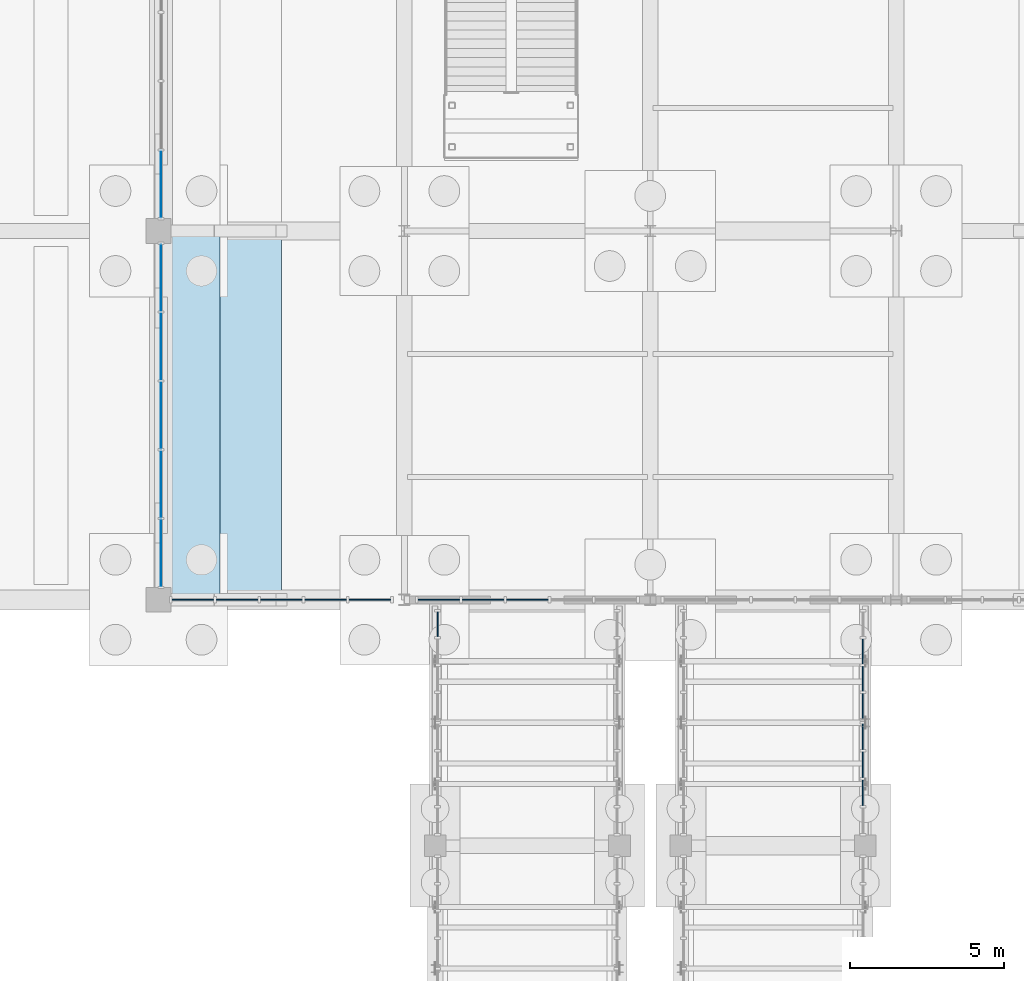
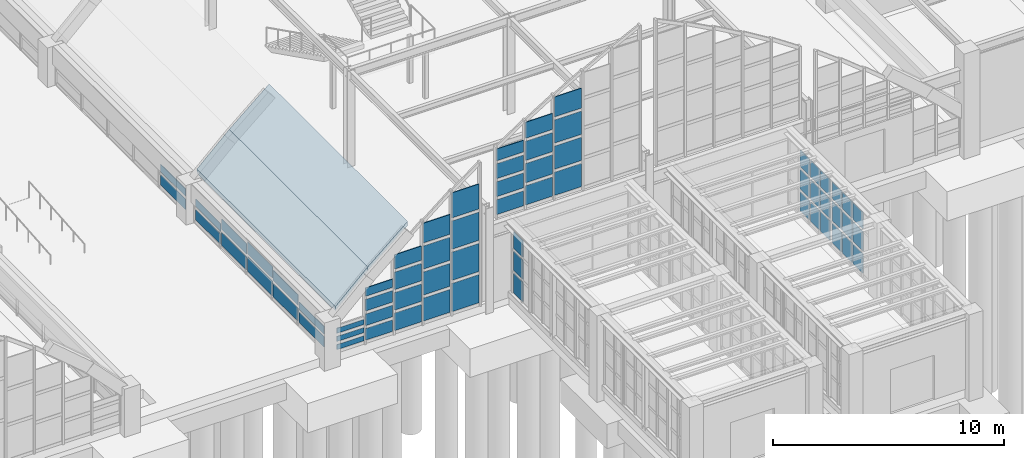
# One storey, part 82 of 129: 64 plates, 2 slabs, 7 elements without a shape of their own.
"""IFC4 building model written with IfcOpenShell, lengths in metres."""

from ifc_helpers import new_model, si_unit, direction, frame, origin, origin_2d, place, context, subcontext, project, spatial, polyline, rectangle, outline, extrude, material, layer, layer_set, type_object, element, aggregate, save


model = new_model("IFC4")

# Units and contexts
model_context = context("Model", 3, precision=1e-05, world=origin(), true_north=direction((0.0, 1.0)))
body_context = subcontext(model_context, "Body", "Model", "MODEL_VIEW")
ifc_project = project(units=[si_unit("LENGTHUNIT", "METRE"), si_unit("AREAUNIT", "SQUARE_METRE"), si_unit("VOLUMEUNIT", "CUBIC_METRE"), si_unit("PLANEANGLEUNIT", "RADIAN"), si_unit("MASSUNIT", "GRAM", prefix="KILO")], contexts=[model_context])

# Site, building, storey
site_placement = place(None, origin())
site = spatial("IfcSite", under=ifc_project, at=site_placement, CompositionType="ELEMENT")
building_placement = place(site_placement, origin())
building = spatial("IfcBuilding", under=site, at=building_placement, Name="Sitalva Quay Ferry Terminal", CompositionType="ELEMENT")
storey_placement = place(building_placement, origin())
storey = spatial("IfcBuildingStorey", under=building, at=storey_placement, Name="L01", CompositionType="ELEMENT", Elevation=0.0)

# Curtain wall, plates
ifc_material_1 = material(Name="Anodised Aluminium & Low-E Glazing", Category="aluminium")
ifc_layer_1 = layer(ifc_material_1, 0.159912109375)
ifc_layer_set_1 = layer_set([ifc_layer_1], Name="Anodised Aluminium & Low-E Glazing")
curtain_wall_type_1 = type_object("IfcCurtainWallType", Name="CW_VaultArch_Glazed", PredefinedType="USERDEFINED", material=ifc_layer_set_1)
curtain_wall_1_placement = place(storey_placement, origin())
curtain_wall_1 = element("IfcCurtainWall", 1, at=curtain_wall_1_placement, inside=storey, type_object=curtain_wall_type_1, Name="V1-W shallow-arch base glazing (CW-L01-014)", ObjectType="CURTAIN_WALL", PredefinedType="USERDEFINED")
ifc_material_2 = material(Name="Clear Low-Iron Arch Glazing", Category="glass")
ifc_layer_2 = layer(ifc_material_2, 0.02587890625)
ifc_layer_set_2 = layer_set([ifc_layer_2], Name="Clear Low-Iron Arch Glazing")
plate_type_1 = type_object("IfcPlateType", Name="Panel_Arch_IGU_26", PredefinedType="CURTAIN_PANEL", material=ifc_layer_set_2)
plate_1_placement = place(storey_placement, frame((42.080078125, 7.52001953125, 0.155029296875), z_axis=(0.0, 0.0, 1.0), x_axis=(0.0, 1.0, 0.0)))
plate_1 = element("IfcPlate", 2, at=plate_1_placement, type_object=plate_type_1, Name="CW-L01-014-P0-0", PredefinedType="CURTAIN_PANEL", context=body_context, shape_type="SweptSolid", body=[
    extrude(rectangle(XDim=2.169921875, YDim=0.02587890625, at=origin_2d()), origin(), (0.0, 0.0, 1.0), 0.544921875),
])
plate_2_placement = place(storey_placement, frame((42.080078125, 7.52001953125, 0.85498046875), z_axis=(0.0, 0.0, 1.0), x_axis=(0.0, 1.0, 0.0)))
plate_2 = element("IfcPlate", 3, at=plate_2_placement, type_object=plate_type_1, Name="CW-L01-014-P0-1", PredefinedType="CURTAIN_PANEL", context=body_context, shape_type="SweptSolid", body=[
    extrude(rectangle(XDim=2.169921875, YDim=0.02587890625, at=origin_2d()), origin(), (0.0, 0.0, 1.0), 0.389892578125),
])
plate_3_placement = place(storey_placement, frame((42.080078125, 9.760009765625, 0.1552734375), z_axis=(0.0, 0.0, 1.0), x_axis=(0.0, 1.0, 0.0)))
plate_3 = element("IfcPlate", 4, at=plate_3_placement, type_object=plate_type_1, Name="CW-L01-014-P1-0", PredefinedType="CURTAIN_PANEL", context=body_context, shape_type="SweptSolid", body=[
    extrude(rectangle(XDim=2.169921875, YDim=0.02587890625, at=origin_2d()), origin(), (0.0, 0.0, 1.0), 0.698486328125),
])
plate_4_placement = place(storey_placement, frame((42.080078125, 9.760009765625, 1.0087890625), z_axis=(0.0, 0.0, 1.0), x_axis=(0.0, 1.0, 0.0)))
plate_4 = element("IfcPlate", 5, at=plate_4_placement, type_object=plate_type_1, Name="CW-L01-014-P1-1", PredefinedType="CURTAIN_PANEL", context=body_context, shape_type="SweptSolid", body=[
    extrude(rectangle(XDim=2.169921875, YDim=0.02587890625, at=origin_2d()), origin(), (0.0, 0.0, 1.0), 0.543701171875),
])
plate_5_placement = place(storey_placement, frame((42.080078125, 12.0, 0.155029296875), z_axis=(0.0, 0.0, 1.0), x_axis=(0.0, 1.0, 0.0)))
plate_5 = element("IfcPlate", 6, at=plate_5_placement, type_object=plate_type_1, Name="CW-L01-014-P2-0", PredefinedType="CURTAIN_PANEL", context=body_context, shape_type="SweptSolid", body=[
    extrude(rectangle(XDim=2.169921875, YDim=0.02587890625, at=origin_2d()), origin(), (0.0, 0.0, 1.0), 0.775390625),
])
plate_6_placement = place(storey_placement, frame((42.080078125, 12.0, 1.08544921875), z_axis=(0.0, 0.0, 1.0), x_axis=(0.0, 1.0, 0.0)))
plate_6 = element("IfcPlate", 7, at=plate_6_placement, type_object=plate_type_1, Name="CW-L01-014-P2-1", PredefinedType="CURTAIN_PANEL", context=body_context, shape_type="SweptSolid", body=[
    extrude(rectangle(XDim=2.169921875, YDim=0.02587890625, at=origin_2d()), origin(), (0.0, 0.0, 1.0), 0.620361328125),
])
plate_7_placement = place(storey_placement, frame((42.080078125, 14.239990234375, 0.1552734375), z_axis=(0.0, 0.0, 1.0), x_axis=(0.0, 1.0, 0.0)))
plate_7 = element("IfcPlate", 8, at=plate_7_placement, type_object=plate_type_1, Name="CW-L01-014-P3-0", PredefinedType="CURTAIN_PANEL", context=body_context, shape_type="SweptSolid", body=[
    extrude(rectangle(XDim=2.169921875, YDim=0.02587890625, at=origin_2d()), origin(), (0.0, 0.0, 1.0), 0.698486328125),
])
plate_8_placement = place(storey_placement, frame((42.080078125, 14.239990234375, 1.0087890625), z_axis=(0.0, 0.0, 1.0), x_axis=(0.0, 1.0, 0.0)))
plate_8 = element("IfcPlate", 9, at=plate_8_placement, type_object=plate_type_1, Name="CW-L01-014-P3-1", PredefinedType="CURTAIN_PANEL", context=body_context, shape_type="SweptSolid", body=[
    extrude(rectangle(XDim=2.169921875, YDim=0.02587890625, at=origin_2d()), origin(), (0.0, 0.0, 1.0), 0.543701171875),
])
plate_9_placement = place(storey_placement, frame((42.080078125, 16.47998046875, 0.155029296875), z_axis=(0.0, 0.0, 1.0), x_axis=(0.0, 1.0, 0.0)))
plate_9 = element("IfcPlate", 10, at=plate_9_placement, type_object=plate_type_1, Name="CW-L01-014-P4-0", PredefinedType="CURTAIN_PANEL", context=body_context, shape_type="SweptSolid", body=[
    extrude(rectangle(XDim=2.169921875, YDim=0.02587890625, at=origin_2d()), origin(), (0.0, 0.0, 1.0), 0.544921875),
])
plate_10_placement = place(storey_placement, frame((42.080078125, 16.47998046875, 0.85498046875), z_axis=(0.0, 0.0, 1.0), x_axis=(0.0, 1.0, 0.0)))
plate_10 = element("IfcPlate", 11, at=plate_10_placement, type_object=plate_type_1, Name="CW-L01-014-P4-1", PredefinedType="CURTAIN_PANEL", context=body_context, shape_type="SweptSolid", body=[
    extrude(rectangle(XDim=2.169921875, YDim=0.02587890625, at=origin_2d()), origin(), (0.0, 0.0, 1.0), 0.389892578125),
])
aggregate(curtain_wall_1, [plate_1, plate_2, plate_3, plate_4, plate_5, plate_6, plate_7, plate_8, plate_9, plate_10])

curtain_wall_2_placement = place(storey_placement, origin())
curtain_wall_2 = element("IfcCurtainWall", 12, at=curtain_wall_2_placement, inside=storey, type_object=curtain_wall_type_1, Name="V1-W shallow-arch base glazing (CW-L01-017)", ObjectType="CURTAIN_WALL", PredefinedType="USERDEFINED")
plate_11_placement = place(storey_placement, frame((42.080078125, 19.52001953125, 0.155029296875), z_axis=(0.0, 0.0, 1.0), x_axis=(0.0, 1.0, 0.0)))
plate_11 = element("IfcPlate", 13, at=plate_11_placement, type_object=plate_type_1, Name="CW-L01-017-P0-0", PredefinedType="CURTAIN_PANEL", context=body_context, shape_type="SweptSolid", body=[
    extrude(rectangle(XDim=2.169921875, YDim=0.02587890625, at=origin_2d()), origin(), (0.0, 0.0, 1.0), 0.544921875),
])
plate_12_placement = place(storey_placement, frame((42.080078125, 19.52001953125, 0.85498046875), z_axis=(0.0, 0.0, 1.0), x_axis=(0.0, 1.0, 0.0)))
plate_12 = element("IfcPlate", 14, at=plate_12_placement, type_object=plate_type_1, Name="CW-L01-017-P0-1", PredefinedType="CURTAIN_PANEL", context=body_context, shape_type="SweptSolid", body=[
    extrude(rectangle(XDim=2.169921875, YDim=0.02587890625, at=origin_2d()), origin(), (0.0, 0.0, 1.0), 0.389892578125),
])
aggregate(curtain_wall_2, [plate_11, plate_12])

ifc_material_3 = material(Name="Anodised Aluminium & Low-E Glazing", Category="aluminium")
ifc_layer_3 = layer(ifc_material_3, 0.159912109375)
ifc_layer_set_3 = layer_set([ifc_layer_3], Name="Anodised Aluminium & Low-E Glazing")
curtain_wall_type_2 = type_object("IfcCurtainWallType", Name="CW_Gable_Unitised", PredefinedType="USERDEFINED", material=ifc_layer_set_3)
curtain_wall_3_placement = place(storey_placement, origin())
curtain_wall_3 = element("IfcCurtainWall", 15, at=curtain_wall_3_placement, inside=storey, type_object=curtain_wall_type_2, Name="V1 south gable west pointed glazing (CW-L01-005)", ObjectType="CURTAIN_WALL", PredefinedType="USERDEFINED")
ifc_material_4 = material(Name="Acoustic Laminated Marine Glazing", Category="glass")
ifc_layer_4 = layer(ifc_material_4, 0.033935546875)
ifc_layer_set_4 = layer_set([ifc_layer_4], Name="Acoustic Laminated Marine Glazing")
plate_type_2 = type_object("IfcPlateType", Name="Panel_Marine_IGU_34", PredefinedType="CURTAIN_PANEL", material=ifc_layer_set_4)
plate_13_placement = place(storey_placement, frame((43.1201171875, 6.0, 0.1650390625), z_axis=(0.0, 0.0, 1.0), x_axis=(1.0, 0.0, 0.0)))
plate_13 = element("IfcPlate", 16, at=plate_13_placement, type_object=plate_type_2, Name="CW-L01-005-P0-0", PredefinedType="CURTAIN_PANEL", context=body_context, shape_type="SweptSolid", body=[
    extrude(rectangle(XDim=1.35009765625, YDim=0.033935546875, at=origin_2d()), origin(), (0.0, 0.0, 1.0), 0.267333984375),
])
plate_14_placement = place(storey_placement, frame((43.1201171875, 6.0, 0.59716796875), z_axis=(0.0, 0.0, 1.0), x_axis=(1.0, 0.0, 0.0)))
plate_14 = element("IfcPlate", 17, at=plate_14_placement, type_object=plate_type_2, Name="CW-L01-005-P0-1", PredefinedType="CURTAIN_PANEL", context=body_context, shape_type="SweptSolid", body=[
    extrude(rectangle(XDim=1.35009765625, YDim=0.033935546875, at=origin_2d()), origin(), (0.0, 0.0, 1.0), 0.267333984375),
])
plate_15_placement = place(storey_placement, frame((43.1201171875, 6.0, 1.02978515625), z_axis=(0.0, 0.0, 1.0), x_axis=(1.0, 0.0, 0.0)))
plate_15 = element("IfcPlate", 18, at=plate_15_placement, type_object=plate_type_2, Name="CW-L01-005-P0-2", PredefinedType="CURTAIN_PANEL", context=body_context, shape_type="SweptSolid", body=[
    extrude(rectangle(XDim=1.35009765625, YDim=0.033935546875, at=origin_2d()), origin(), (0.0, 0.0, 1.0), 0.267333984375),
])
plate_16_placement = place(storey_placement, frame((44.56005859375, 6.0, 0.1650390625), z_axis=(0.0, 0.0, 1.0), x_axis=(1.0, 0.0, 0.0)))
plate_16 = element("IfcPlate", 19, at=plate_16_placement, type_object=plate_type_2, Name="CW-L01-005-P1-0", PredefinedType="CURTAIN_PANEL", context=body_context, shape_type="SweptSolid", body=[
    extrude(rectangle(XDim=1.35009765625, YDim=0.033935546875, at=origin_2d()), origin(), (0.0, 0.0, 1.0), 0.608642578125),
])
plate_17_placement = place(storey_placement, frame((44.56005859375, 6.0, 0.9384765625), z_axis=(0.0, 0.0, 1.0), x_axis=(1.0, 0.0, 0.0)))
plate_17 = element("IfcPlate", 20, at=plate_17_placement, type_object=plate_type_2, Name="CW-L01-005-P1-1", PredefinedType="CURTAIN_PANEL", context=body_context, shape_type="SweptSolid", body=[
    extrude(rectangle(XDim=1.35009765625, YDim=0.033935546875, at=origin_2d()), origin(), (0.0, 0.0, 1.0), 0.608642578125),
])
plate_18_placement = place(storey_placement, frame((44.56005859375, 6.0, 1.71240234375), z_axis=(0.0, 0.0, 1.0), x_axis=(1.0, 0.0, 0.0)))
plate_18 = element("IfcPlate", 21, at=plate_18_placement, type_object=plate_type_2, Name="CW-L01-005-P1-2", PredefinedType="CURTAIN_PANEL", context=body_context, shape_type="SweptSolid", body=[
    extrude(rectangle(XDim=1.35009765625, YDim=0.033935546875, at=origin_2d()), origin(), (0.0, 0.0, 1.0), 0.608642578125),
])
plate_19_placement = place(storey_placement, frame((44.56005859375, 6.0, 2.48583984375), z_axis=(0.0, 0.0, 1.0), x_axis=(1.0, 0.0, 0.0)))
plate_19 = element("IfcPlate", 22, at=plate_19_placement, type_object=plate_type_2, Name="CW-L01-005-P1-3", PredefinedType="CURTAIN_PANEL", context=body_context, shape_type="SweptSolid", body=[
    extrude(rectangle(XDim=1.35009765625, YDim=0.033935546875, at=origin_2d()), origin(), (0.0, 0.0, 1.0), 0.443603515625),
])
plate_20_placement = place(storey_placement, frame((46.0, 6.0, 0.1650390625), z_axis=(0.0, 0.0, 1.0), x_axis=(1.0, 0.0, 0.0)))
plate_20 = element("IfcPlate", 23, at=plate_20_placement, type_object=plate_type_2, Name="CW-L01-005-P2-0", PredefinedType="CURTAIN_PANEL", context=body_context, shape_type="SweptSolid", body=[
    extrude(rectangle(XDim=1.35009765625, YDim=0.033935546875, at=origin_2d()), origin(), (0.0, 0.0, 1.0), 0.919921875),
])
plate_21_placement = place(storey_placement, frame((46.0, 6.0, 1.25), z_axis=(0.0, 0.0, 1.0), x_axis=(1.0, 0.0, 0.0)))
plate_21 = element("IfcPlate", 24, at=plate_21_placement, type_object=plate_type_2, Name="CW-L01-005-P2-1", PredefinedType="CURTAIN_PANEL", context=body_context, shape_type="SweptSolid", body=[
    extrude(rectangle(XDim=1.35009765625, YDim=0.033935546875, at=origin_2d()), origin(), (0.0, 0.0, 1.0), 0.919921875),
])
plate_22_placement = place(storey_placement, frame((46.0, 6.0, 2.3349609375), z_axis=(0.0, 0.0, 1.0), x_axis=(1.0, 0.0, 0.0)))
plate_22 = element("IfcPlate", 25, at=plate_22_placement, type_object=plate_type_2, Name="CW-L01-005-P2-2", PredefinedType="CURTAIN_PANEL", context=body_context, shape_type="SweptSolid", body=[
    extrude(rectangle(XDim=1.35009765625, YDim=0.033935546875, at=origin_2d()), origin(), (0.0, 0.0, 1.0), 0.919921875),
])
plate_23_placement = place(storey_placement, frame((46.0, 6.0, 3.419921875), z_axis=(0.0, 0.0, 1.0), x_axis=(1.0, 0.0, 0.0)))
plate_23 = element("IfcPlate", 26, at=plate_23_placement, type_object=plate_type_2, Name="CW-L01-005-P2-3", PredefinedType="CURTAIN_PANEL", context=body_context, shape_type="SweptSolid", body=[
    extrude(rectangle(XDim=1.35009765625, YDim=0.033935546875, at=origin_2d()), origin(), (0.0, 0.0, 1.0), 0.7548828125),
])
plate_24_placement = place(storey_placement, frame((47.43994140625, 6.0, 0.1650390625), z_axis=(0.0, 0.0, 1.0), x_axis=(1.0, 0.0, 0.0)))
plate_24 = element("IfcPlate", 27, at=plate_24_placement, type_object=plate_type_2, Name="CW-L01-005-P3-0", PredefinedType="CURTAIN_PANEL", context=body_context, shape_type="SweptSolid", body=[
    extrude(rectangle(XDim=1.35009765625, YDim=0.033935546875, at=origin_2d()), origin(), (0.0, 0.0, 1.0), 1.212646484375),
])
plate_25_placement = place(storey_placement, frame((47.43994140625, 6.0, 1.54248046875), z_axis=(0.0, 0.0, 1.0), x_axis=(1.0, 0.0, 0.0)))
plate_25 = element("IfcPlate", 28, at=plate_25_placement, type_object=plate_type_2, Name="CW-L01-005-P3-1", PredefinedType="CURTAIN_PANEL", context=body_context, shape_type="SweptSolid", body=[
    extrude(rectangle(XDim=1.35009765625, YDim=0.033935546875, at=origin_2d()), origin(), (0.0, 0.0, 1.0), 1.212646484375),
])
plate_26_placement = place(storey_placement, frame((47.43994140625, 6.0, 2.92041015625), z_axis=(0.0, 0.0, 1.0), x_axis=(1.0, 0.0, 0.0)))
plate_26 = element("IfcPlate", 29, at=plate_26_placement, type_object=plate_type_2, Name="CW-L01-005-P3-2", PredefinedType="CURTAIN_PANEL", context=body_context, shape_type="SweptSolid", body=[
    extrude(rectangle(XDim=1.35009765625, YDim=0.033935546875, at=origin_2d()), origin(), (0.0, 0.0, 1.0), 1.212646484375),
])
plate_27_placement = place(storey_placement, frame((47.43994140625, 6.0, 4.2978515625), z_axis=(0.0, 0.0, 1.0), x_axis=(1.0, 0.0, 0.0)))
plate_27 = element("IfcPlate", 30, at=plate_27_placement, type_object=plate_type_2, Name="CW-L01-005-P3-3", PredefinedType="CURTAIN_PANEL", context=body_context, shape_type="SweptSolid", body=[
    extrude(rectangle(XDim=1.35009765625, YDim=0.033935546875, at=origin_2d()), origin(), (0.0, 0.0, 1.0), 1.047607421875),
])
plate_28_placement = place(storey_placement, frame((48.8798828125, 6.0, 0.1650390625), z_axis=(0.0, 0.0, 1.0), x_axis=(1.0, 0.0, 0.0)))
plate_28 = element("IfcPlate", 31, at=plate_28_placement, type_object=plate_type_2, Name="CW-L01-005-P4-0", PredefinedType="CURTAIN_PANEL", context=body_context, shape_type="SweptSolid", body=[
    extrude(rectangle(XDim=1.35009765625, YDim=0.033935546875, at=origin_2d()), origin(), (0.0, 0.0, 1.0), 1.487548828125),
])
plate_29_placement = place(storey_placement, frame((48.8798828125, 6.0, 1.8173828125), z_axis=(0.0, 0.0, 1.0), x_axis=(1.0, 0.0, 0.0)))
plate_29 = element("IfcPlate", 32, at=plate_29_placement, type_object=plate_type_2, Name="CW-L01-005-P4-1", PredefinedType="CURTAIN_PANEL", context=body_context, shape_type="SweptSolid", body=[
    extrude(rectangle(XDim=1.35009765625, YDim=0.033935546875, at=origin_2d()), origin(), (0.0, 0.0, 1.0), 1.487548828125),
])
plate_30_placement = place(storey_placement, frame((48.8798828125, 6.0, 3.47021484375), z_axis=(0.0, 0.0, 1.0), x_axis=(1.0, 0.0, 0.0)))
plate_30 = element("IfcPlate", 33, at=plate_30_placement, type_object=plate_type_2, Name="CW-L01-005-P4-2", PredefinedType="CURTAIN_PANEL", context=body_context, shape_type="SweptSolid", body=[
    extrude(rectangle(XDim=1.35009765625, YDim=0.033935546875, at=origin_2d()), origin(), (0.0, 0.0, 1.0), 1.487548828125),
])
plate_31_placement = place(storey_placement, frame((48.8798828125, 6.0, 5.123046875), z_axis=(0.0, 0.0, 1.0), x_axis=(1.0, 0.0, 0.0)))
plate_31 = element("IfcPlate", 34, at=plate_31_placement, type_object=plate_type_2, Name="CW-L01-005-P4-3", PredefinedType="CURTAIN_PANEL", context=body_context, shape_type="SweptSolid", body=[
    extrude(rectangle(XDim=1.35009765625, YDim=0.033935546875, at=origin_2d()), origin(), (0.0, 0.0, 1.0), 1.322509765625),
])
aggregate(curtain_wall_3, [plate_13, plate_14, plate_15, plate_16, plate_17, plate_18, plate_19, plate_20, plate_21, plate_22, plate_23, plate_24, plate_25, plate_26, plate_27, plate_28, plate_29, plate_30, plate_31])

curtain_wall_4_placement = place(storey_placement, origin())
curtain_wall_4 = element("IfcCurtainWall", 35, at=curtain_wall_4_placement, inside=storey, type_object=curtain_wall_type_2, Name="V1 south gable west-apex pointed glazing (CW-L01-006)", ObjectType="CURTAIN_WALL", PredefinedType="USERDEFINED")
plate_32_placement = place(storey_placement, frame((51.1201171875, 6.0, 4.51513671875), z_axis=(0.0, 0.0, 1.0), x_axis=(1.0, 0.0, 0.0)))
plate_32 = element("IfcPlate", 36, at=plate_32_placement, type_object=plate_type_2, Name="CW-L01-006-P0-0", PredefinedType="CURTAIN_PANEL", context=body_context, shape_type="SweptSolid", body=[
    extrude(rectangle(XDim=1.35009765625, YDim=0.033935546875, at=origin_2d()), origin(), (0.0, 0.0, 1.0), 0.784423828125),
])
plate_33_placement = place(storey_placement, frame((51.1201171875, 6.0, 5.46435546875), z_axis=(0.0, 0.0, 1.0), x_axis=(1.0, 0.0, 0.0)))
plate_33 = element("IfcPlate", 37, at=plate_33_placement, type_object=plate_type_2, Name="CW-L01-006-P0-1", PredefinedType="CURTAIN_PANEL", context=body_context, shape_type="SweptSolid", body=[
    extrude(rectangle(XDim=1.35009765625, YDim=0.033935546875, at=origin_2d()), origin(), (0.0, 0.0, 1.0), 0.784423828125),
])
plate_34_placement = place(storey_placement, frame((51.1201171875, 6.0, 6.4140625), z_axis=(0.0, 0.0, 1.0), x_axis=(1.0, 0.0, 0.0)))
plate_34 = element("IfcPlate", 38, at=plate_34_placement, type_object=plate_type_2, Name="CW-L01-006-P0-2", PredefinedType="CURTAIN_PANEL", context=body_context, shape_type="SweptSolid", body=[
    extrude(rectangle(XDim=1.35009765625, YDim=0.033935546875, at=origin_2d()), origin(), (0.0, 0.0, 1.0), 0.784423828125),
])
plate_35_placement = place(storey_placement, frame((51.1201171875, 6.0, 7.363525390625), z_axis=(0.0, 0.0, 1.0), x_axis=(1.0, 0.0, 0.0)))
plate_35 = element("IfcPlate", 39, at=plate_35_placement, type_object=plate_type_2, Name="CW-L01-006-P0-3", PredefinedType="CURTAIN_PANEL", context=body_context, shape_type="SweptSolid", body=[
    extrude(rectangle(XDim=1.35009765625, YDim=0.033935546875, at=origin_2d()), origin(), (0.0, 0.0, 1.0), 0.61962890625),
])
plate_36_placement = place(storey_placement, frame((52.56005859375, 6.0, 4.51513671875), z_axis=(0.0, 0.0, 1.0), x_axis=(1.0, 0.0, 0.0)))
plate_36 = element("IfcPlate", 40, at=plate_36_placement, type_object=plate_type_2, Name="CW-L01-006-P1-0", PredefinedType="CURTAIN_PANEL", context=body_context, shape_type="SweptSolid", body=[
    extrude(rectangle(XDim=1.35009765625, YDim=0.033935546875, at=origin_2d()), origin(), (0.0, 0.0, 1.0), 1.011962890625),
])
plate_37_placement = place(storey_placement, frame((52.56005859375, 6.0, 5.69189453125), z_axis=(0.0, 0.0, 1.0), x_axis=(1.0, 0.0, 0.0)))
plate_37 = element("IfcPlate", 41, at=plate_37_placement, type_object=plate_type_2, Name="CW-L01-006-P1-1", PredefinedType="CURTAIN_PANEL", context=body_context, shape_type="SweptSolid", body=[
    extrude(rectangle(XDim=1.35009765625, YDim=0.033935546875, at=origin_2d()), origin(), (0.0, 0.0, 1.0), 1.011962890625),
])
plate_38_placement = place(storey_placement, frame((52.56005859375, 6.0, 6.86865234375), z_axis=(0.0, 0.0, 1.0), x_axis=(1.0, 0.0, 0.0)))
plate_38 = element("IfcPlate", 42, at=plate_38_placement, type_object=plate_type_2, Name="CW-L01-006-P1-2", PredefinedType="CURTAIN_PANEL", context=body_context, shape_type="SweptSolid", body=[
    extrude(rectangle(XDim=1.35009765625, YDim=0.033935546875, at=origin_2d()), origin(), (0.0, 0.0, 1.0), 1.011962890625),
])
plate_39_placement = place(storey_placement, frame((52.56005859375, 6.0, 8.0458984375), z_axis=(0.0, 0.0, 1.0), x_axis=(1.0, 0.0, 0.0)))
plate_39 = element("IfcPlate", 43, at=plate_39_placement, type_object=plate_type_2, Name="CW-L01-006-P1-3", PredefinedType="CURTAIN_PANEL", context=body_context, shape_type="SweptSolid", body=[
    extrude(rectangle(XDim=1.35009765625, YDim=0.033935546875, at=origin_2d()), origin(), (0.0, 0.0, 1.0), 0.846923828125),
])
plate_40_placement = place(storey_placement, frame((54.0, 6.0, 4.51513671875), z_axis=(0.0, 0.0, 1.0), x_axis=(1.0, 0.0, 0.0)))
plate_40 = element("IfcPlate", 44, at=plate_40_placement, type_object=plate_type_2, Name="CW-L01-006-P2-0", PredefinedType="CURTAIN_PANEL", context=body_context, shape_type="SweptSolid", body=[
    extrude(rectangle(XDim=1.35009765625, YDim=0.033935546875, at=origin_2d()), origin(), (0.0, 0.0, 1.0), 1.2197265625),
])
plate_41_placement = place(storey_placement, frame((54.0, 6.0, 5.89990234375), z_axis=(0.0, 0.0, 1.0), x_axis=(1.0, 0.0, 0.0)))
plate_41 = element("IfcPlate", 45, at=plate_41_placement, type_object=plate_type_2, Name="CW-L01-006-P2-1", PredefinedType="CURTAIN_PANEL", context=body_context, shape_type="SweptSolid", body=[
    extrude(rectangle(XDim=1.35009765625, YDim=0.033935546875, at=origin_2d()), origin(), (0.0, 0.0, 1.0), 1.2197265625),
])
plate_42_placement = place(storey_placement, frame((54.0, 6.0, 7.28466796875), z_axis=(0.0, 0.0, 1.0), x_axis=(1.0, 0.0, 0.0)))
plate_42 = element("IfcPlate", 46, at=plate_42_placement, type_object=plate_type_2, Name="CW-L01-006-P2-2", PredefinedType="CURTAIN_PANEL", context=body_context, shape_type="SweptSolid", body=[
    extrude(rectangle(XDim=1.35009765625, YDim=0.033935546875, at=origin_2d()), origin(), (0.0, 0.0, 1.0), 1.2197265625),
])
plate_43_placement = place(storey_placement, frame((54.0, 6.0, 8.66943359375), z_axis=(0.0, 0.0, 1.0), x_axis=(1.0, 0.0, 0.0)))
plate_43 = element("IfcPlate", 47, at=plate_43_placement, type_object=plate_type_2, Name="CW-L01-006-P2-3", PredefinedType="CURTAIN_PANEL", context=body_context, shape_type="SweptSolid", body=[
    extrude(rectangle(XDim=1.35009765625, YDim=0.033935546875, at=origin_2d()), origin(), (0.0, 0.0, 1.0), 1.0546875),
])
aggregate(curtain_wall_4, [plate_32, plate_33, plate_34, plate_35, plate_36, plate_37, plate_38, plate_39, plate_40, plate_41, plate_42, plate_43])

ifc_material_5 = material(Name="Anodised Aluminium & Low-E Glazing", Category="aluminium")
ifc_layer_5 = layer(ifc_material_5, 0.159912109375)
ifc_layer_set_5 = layer_set([ifc_layer_5], Name="Anodised Aluminium & Low-E Glazing")
curtain_wall_type_3 = type_object("IfcCurtainWallType", Name="CW_Bridge_Glazed", PredefinedType="USERDEFINED", material=ifc_layer_set_5)
curtain_wall_5_placement = place(storey_placement, origin())
curtain_wall_5 = element("IfcCurtainWall", 48, at=curtain_wall_5_placement, inside=storey, type_object=curtain_wall_type_3, Name="Boarding bridge BB2 W4 side glazing (CW-L01-044)", ObjectType="CURTAIN_WALL", PredefinedType="USERDEFINED")
plate_44_placement = place(storey_placement, frame((51.080078125, 5.206298828125, 0.39990234375), z_axis=(0.0, 0.0, 1.0), x_axis=(0.0, 1.0, 0.0)))
plate_44 = element("IfcPlate", 49, at=plate_44_placement, type_object=plate_type_2, Name="CW-L01-044-P3-0", PredefinedType="CURTAIN_PANEL", context=body_context, shape_type="SweptSolid", body=[
    extrude(rectangle(XDim=0.8076171875, YDim=0.033935546875, at=origin_2d()), origin(), (0.0, 0.0, 1.0), 1.026611328125),
])
plate_45_placement = place(storey_placement, frame((51.080078125, 5.206298828125, 1.57666015625), z_axis=(0.0, 0.0, 1.0), x_axis=(0.0, 1.0, 0.0)))
plate_45 = element("IfcPlate", 50, at=plate_45_placement, type_object=plate_type_2, Name="CW-L01-044-P3-1", PredefinedType="CURTAIN_PANEL", context=body_context, shape_type="SweptSolid", body=[
    extrude(rectangle(XDim=0.8076171875, YDim=0.033935546875, at=origin_2d()), origin(), (0.0, 0.0, 1.0), 1.026611328125),
])
plate_46_placement = place(storey_placement, frame((51.080078125, 5.206298828125, 2.75341796875), z_axis=(0.0, 0.0, 1.0), x_axis=(0.0, 1.0, 0.0)))
plate_46 = element("IfcPlate", 51, at=plate_46_placement, type_object=plate_type_2, Name="CW-L01-044-P3-2", PredefinedType="CURTAIN_PANEL", context=body_context, shape_type="SweptSolid", body=[
    extrude(rectangle(XDim=0.8076171875, YDim=0.033935546875, at=origin_2d()), origin(), (0.0, 0.0, 1.0), 0.876708984375),
])
aggregate(curtain_wall_5, [plate_44, plate_45, plate_46])

curtain_wall_6_placement = place(storey_placement, origin())
curtain_wall_6 = element("IfcCurtainWall", 52, at=curtain_wall_6_placement, inside=storey, type_object=curtain_wall_type_3, Name="Boarding bridge BB3 E3 side glazing (CW-L01-055)", ObjectType="CURTAIN_WALL", PredefinedType="USERDEFINED")
plate_47_placement = place(storey_placement, frame((64.919921875, -0.28125, 0.39990234375), z_axis=(0.0, 0.0, 1.0), x_axis=(0.0, 1.0, 0.0)))
plate_47 = element("IfcPlate", 53, at=plate_47_placement, type_object=plate_type_2, Name="CW-L01-055-P1-0", PredefinedType="CURTAIN_PANEL", context=body_context, shape_type="SweptSolid", body=[
    extrude(rectangle(XDim=0.83251953125, YDim=0.033935546875, at=origin_2d()), origin(), (0.0, 0.0, 1.0), 1.026611328125),
])
plate_48_placement = place(storey_placement, frame((64.919921875, -0.28125, 1.57666015625), z_axis=(0.0, 0.0, 1.0), x_axis=(0.0, 1.0, 0.0)))
plate_48 = element("IfcPlate", 54, at=plate_48_placement, type_object=plate_type_2, Name="CW-L01-055-P1-1", PredefinedType="CURTAIN_PANEL", context=body_context, shape_type="SweptSolid", body=[
    extrude(rectangle(XDim=0.83251953125, YDim=0.033935546875, at=origin_2d()), origin(), (0.0, 0.0, 1.0), 1.026611328125),
])
plate_49_placement = place(storey_placement, frame((64.919921875, -0.28125, 2.75341796875), z_axis=(0.0, 0.0, 1.0), x_axis=(0.0, 1.0, 0.0)))
plate_49 = element("IfcPlate", 55, at=plate_49_placement, type_object=plate_type_2, Name="CW-L01-055-P1-2", PredefinedType="CURTAIN_PANEL", context=body_context, shape_type="SweptSolid", body=[
    extrude(rectangle(XDim=0.83251953125, YDim=0.033935546875, at=origin_2d()), origin(), (0.0, 0.0, 1.0), 0.876708984375),
])
plate_50_placement = place(storey_placement, frame((64.919921875, 0.63134765625, 0.39990234375), z_axis=(0.0, 0.0, 1.0), x_axis=(0.0, 1.0, 0.0)))
plate_50 = element("IfcPlate", 56, at=plate_50_placement, type_object=plate_type_2, Name="CW-L01-055-P2-0", PredefinedType="CURTAIN_PANEL", context=body_context, shape_type="SweptSolid", body=[
    extrude(rectangle(XDim=0.83251953125, YDim=0.033935546875, at=origin_2d()), origin(), (0.0, 0.0, 1.0), 1.026611328125),
])
plate_51_placement = place(storey_placement, frame((64.919921875, 0.63134765625, 1.57666015625), z_axis=(0.0, 0.0, 1.0), x_axis=(0.0, 1.0, 0.0)))
plate_51 = element("IfcPlate", 57, at=plate_51_placement, type_object=plate_type_2, Name="CW-L01-055-P2-1", PredefinedType="CURTAIN_PANEL", context=body_context, shape_type="SweptSolid", body=[
    extrude(rectangle(XDim=0.83251953125, YDim=0.033935546875, at=origin_2d()), origin(), (0.0, 0.0, 1.0), 1.026611328125),
])
plate_52_placement = place(storey_placement, frame((64.919921875, 0.63134765625, 2.75341796875), z_axis=(0.0, 0.0, 1.0), x_axis=(0.0, 1.0, 0.0)))
plate_52 = element("IfcPlate", 58, at=plate_52_placement, type_object=plate_type_2, Name="CW-L01-055-P2-2", PredefinedType="CURTAIN_PANEL", context=body_context, shape_type="SweptSolid", body=[
    extrude(rectangle(XDim=0.83251953125, YDim=0.033935546875, at=origin_2d()), origin(), (0.0, 0.0, 1.0), 0.876708984375),
])
plate_53_placement = place(storey_placement, frame((64.919921875, 1.543701171875, 0.39990234375), z_axis=(0.0, 0.0, 1.0), x_axis=(0.0, 1.0, 0.0)))
plate_53 = element("IfcPlate", 59, at=plate_53_placement, type_object=plate_type_2, Name="CW-L01-055-P3-0", PredefinedType="CURTAIN_PANEL", context=body_context, shape_type="SweptSolid", body=[
    extrude(rectangle(XDim=0.83251953125, YDim=0.033935546875, at=origin_2d()), origin(), (0.0, 0.0, 1.0), 1.026611328125),
])
plate_54_placement = place(storey_placement, frame((64.919921875, 1.543701171875, 1.57666015625), z_axis=(0.0, 0.0, 1.0), x_axis=(0.0, 1.0, 0.0)))
plate_54 = element("IfcPlate", 60, at=plate_54_placement, type_object=plate_type_2, Name="CW-L01-055-P3-1", PredefinedType="CURTAIN_PANEL", context=body_context, shape_type="SweptSolid", body=[
    extrude(rectangle(XDim=0.83251953125, YDim=0.033935546875, at=origin_2d()), origin(), (0.0, 0.0, 1.0), 1.026611328125),
])
plate_55_placement = place(storey_placement, frame((64.919921875, 1.543701171875, 2.75341796875), z_axis=(0.0, 0.0, 1.0), x_axis=(0.0, 1.0, 0.0)))
plate_55 = element("IfcPlate", 61, at=plate_55_placement, type_object=plate_type_2, Name="CW-L01-055-P3-2", PredefinedType="CURTAIN_PANEL", context=body_context, shape_type="SweptSolid", body=[
    extrude(rectangle(XDim=0.83251953125, YDim=0.033935546875, at=origin_2d()), origin(), (0.0, 0.0, 1.0), 0.876708984375),
])
aggregate(curtain_wall_6, [plate_47, plate_48, plate_49, plate_50, plate_51, plate_52, plate_53, plate_54, plate_55])

curtain_wall_7_placement = place(storey_placement, origin())
curtain_wall_7 = element("IfcCurtainWall", 62, at=curtain_wall_7_placement, inside=storey, type_object=curtain_wall_type_3, Name="Boarding bridge BB3 E4 side glazing (CW-L01-056)", ObjectType="CURTAIN_WALL", PredefinedType="USERDEFINED")
plate_56_placement = place(storey_placement, frame((64.919921875, 2.543701171875, 0.39990234375), z_axis=(0.0, 0.0, 1.0), x_axis=(0.0, 1.0, 0.0)))
plate_56 = element("IfcPlate", 63, at=plate_56_placement, type_object=plate_type_2, Name="CW-L01-056-P0-0", PredefinedType="CURTAIN_PANEL", context=body_context, shape_type="SweptSolid", body=[
    extrude(rectangle(XDim=0.8076171875, YDim=0.033935546875, at=origin_2d()), origin(), (0.0, 0.0, 1.0), 1.026611328125),
])
plate_57_placement = place(storey_placement, frame((64.919921875, 2.543701171875, 1.57666015625), z_axis=(0.0, 0.0, 1.0), x_axis=(0.0, 1.0, 0.0)))
plate_57 = element("IfcPlate", 64, at=plate_57_placement, type_object=plate_type_2, Name="CW-L01-056-P0-1", PredefinedType="CURTAIN_PANEL", context=body_context, shape_type="SweptSolid", body=[
    extrude(rectangle(XDim=0.8076171875, YDim=0.033935546875, at=origin_2d()), origin(), (0.0, 0.0, 1.0), 1.026611328125),
])
plate_58_placement = place(storey_placement, frame((64.919921875, 2.543701171875, 2.75341796875), z_axis=(0.0, 0.0, 1.0), x_axis=(0.0, 1.0, 0.0)))
plate_58 = element("IfcPlate", 65, at=plate_58_placement, type_object=plate_type_2, Name="CW-L01-056-P0-2", PredefinedType="CURTAIN_PANEL", context=body_context, shape_type="SweptSolid", body=[
    extrude(rectangle(XDim=0.8076171875, YDim=0.033935546875, at=origin_2d()), origin(), (0.0, 0.0, 1.0), 0.876708984375),
])
plate_59_placement = place(storey_placement, frame((64.919921875, 3.43115234375, 0.39990234375), z_axis=(0.0, 0.0, 1.0), x_axis=(0.0, 1.0, 0.0)))
plate_59 = element("IfcPlate", 66, at=plate_59_placement, type_object=plate_type_2, Name="CW-L01-056-P1-0", PredefinedType="CURTAIN_PANEL", context=body_context, shape_type="SweptSolid", body=[
    extrude(rectangle(XDim=0.8076171875, YDim=0.033935546875, at=origin_2d()), origin(), (0.0, 0.0, 1.0), 1.026611328125),
])
plate_60_placement = place(storey_placement, frame((64.919921875, 3.43115234375, 1.57666015625), z_axis=(0.0, 0.0, 1.0), x_axis=(0.0, 1.0, 0.0)))
plate_60 = element("IfcPlate", 67, at=plate_60_placement, type_object=plate_type_2, Name="CW-L01-056-P1-1", PredefinedType="CURTAIN_PANEL", context=body_context, shape_type="SweptSolid", body=[
    extrude(rectangle(XDim=0.8076171875, YDim=0.033935546875, at=origin_2d()), origin(), (0.0, 0.0, 1.0), 1.026611328125),
])
plate_61_placement = place(storey_placement, frame((64.919921875, 3.43115234375, 2.75341796875), z_axis=(0.0, 0.0, 1.0), x_axis=(0.0, 1.0, 0.0)))
plate_61 = element("IfcPlate", 68, at=plate_61_placement, type_object=plate_type_2, Name="CW-L01-056-P1-2", PredefinedType="CURTAIN_PANEL", context=body_context, shape_type="SweptSolid", body=[
    extrude(rectangle(XDim=0.8076171875, YDim=0.033935546875, at=origin_2d()), origin(), (0.0, 0.0, 1.0), 0.876708984375),
])
plate_62_placement = place(storey_placement, frame((64.919921875, 4.31884765625, 0.39990234375), z_axis=(0.0, 0.0, 1.0), x_axis=(0.0, 1.0, 0.0)))
plate_62 = element("IfcPlate", 69, at=plate_62_placement, type_object=plate_type_2, Name="CW-L01-056-P2-0", PredefinedType="CURTAIN_PANEL", context=body_context, shape_type="SweptSolid", body=[
    extrude(rectangle(XDim=0.8076171875, YDim=0.033935546875, at=origin_2d()), origin(), (0.0, 0.0, 1.0), 1.026611328125),
])
plate_63_placement = place(storey_placement, frame((64.919921875, 4.31884765625, 1.57666015625), z_axis=(0.0, 0.0, 1.0), x_axis=(0.0, 1.0, 0.0)))
plate_63 = element("IfcPlate", 70, at=plate_63_placement, type_object=plate_type_2, Name="CW-L01-056-P2-1", PredefinedType="CURTAIN_PANEL", context=body_context, shape_type="SweptSolid", body=[
    extrude(rectangle(XDim=0.8076171875, YDim=0.033935546875, at=origin_2d()), origin(), (0.0, 0.0, 1.0), 1.026611328125),
])
plate_64_placement = place(storey_placement, frame((64.919921875, 4.31884765625, 2.75341796875), z_axis=(0.0, 0.0, 1.0), x_axis=(0.0, 1.0, 0.0)))
plate_64 = element("IfcPlate", 71, at=plate_64_placement, type_object=plate_type_2, Name="CW-L01-056-P2-2", PredefinedType="CURTAIN_PANEL", context=body_context, shape_type="SweptSolid", body=[
    extrude(rectangle(XDim=0.8076171875, YDim=0.033935546875, at=origin_2d()), origin(), (0.0, 0.0, 1.0), 0.876708984375),
])
aggregate(curtain_wall_7, [plate_56, plate_57, plate_58, plate_59, plate_60, plate_61, plate_62, plate_63, plate_64])

# Slabs
ifc_material_6 = material(Name="Concrete C40/50", Category="concrete")
ifc_layer_6 = layer(ifc_material_6, 0.159912109375)
ifc_layer_set_6 = layer_set([ifc_layer_6], Name="Concrete C40/50")
slab_type = type_object("IfcSlabType", Name="Slab_PointedVaultShell_160", PredefinedType="ROOF", material=ifc_layer_set_6)
slab_1_placement = place(storey_placement, frame((42.3798828125, 6.0, 2.460205078125), z_axis=(-0.688047902254, 0.0, 0.725665270082), x_axis=(0.725665270082, 0.0, 0.688047902254)))
element("IfcSlab", 72, at=slab_1_placement, inside=storey, type_object=slab_type, Name="Vault V1 pointed shell facet B1-F1", PredefinedType="ROOF", context=body_context, shape_type="SweptSolid", body=[
    extrude(outline(polyline([(0.0, 0.0), (2.2325957356566075, 0.0), (2.2325957356566075, 12.0), (0.0, 12.0), (0.0, 0.0)])), origin(), (-0.688047902254, 0.0, -0.725665270082), 0.220458984375),
])
slab_2_placement = place(storey_placement, frame((44.0, 6.0, 3.996337890625), z_axis=(-0.649521624646, 0.0, 0.760343119334), x_axis=(0.760343119334, 0.0, 0.649521624646)))
element("IfcSlab", 73, at=slab_2_placement, inside=storey, type_object=slab_type, Name="Vault V1 pointed shell facet B1-F2", PredefinedType="ROOF", context=body_context, shape_type="SweptSolid", body=[
    extrude(outline(polyline([(0.0, 0.0), (2.630391397180087, 0.0), (2.630391397180087, 12.0), (0.0, 12.0), (0.0, 0.0)])), origin(), (-0.649521624646, 0.0, -0.760343119334), 0.21044921875),
])

save(model, "model.ifc")
